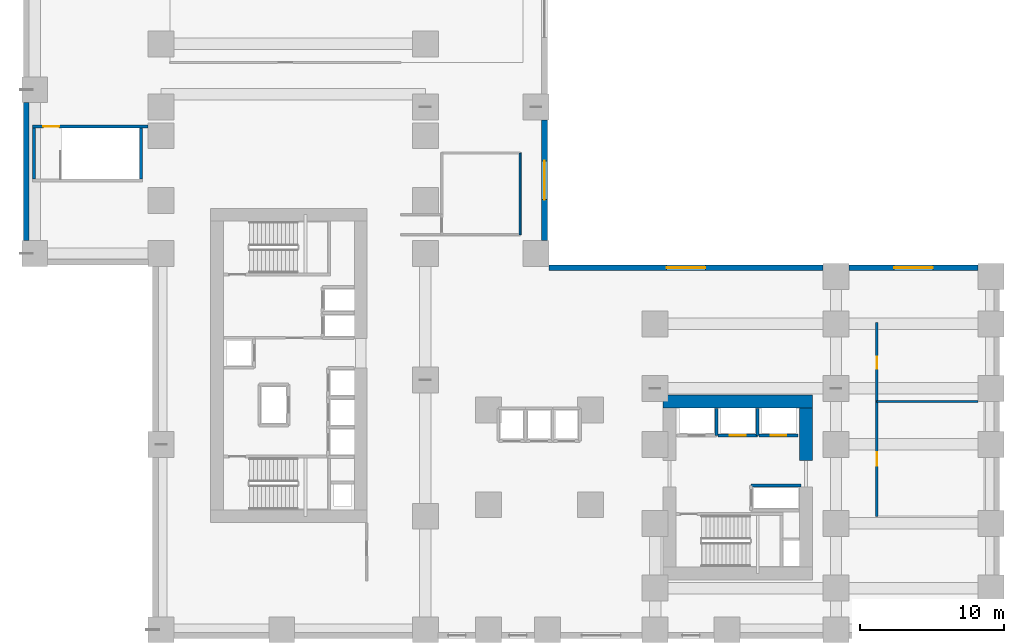
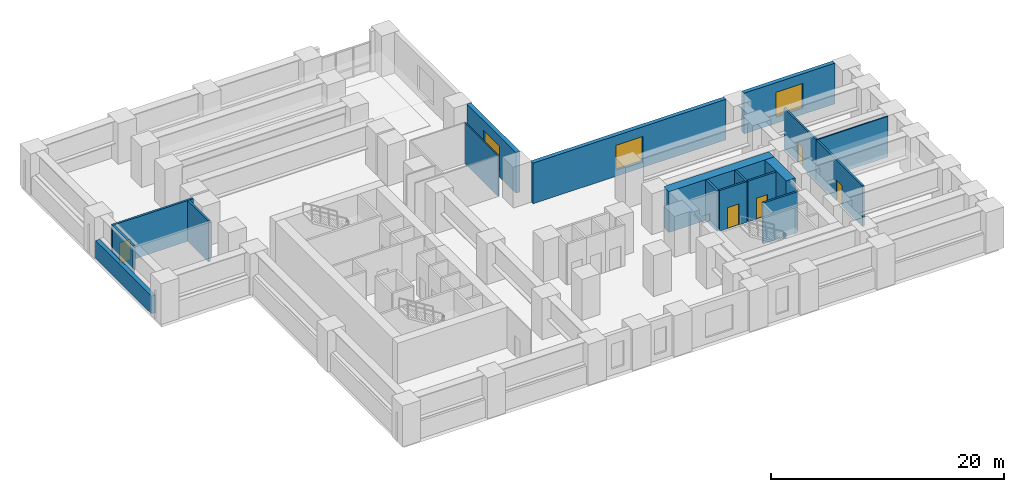
# One storey, part 8 of 12: 18 walls, 5 doors, 3 windows, 8 openings.
"""IFC4 building model written with IfcOpenShell, lengths in metres."""

from ifc_helpers import new_model, si_unit, direction, frame, frame_2d, origin, place, context, subcontext, project, spatial, rectangle, extrude, source, transform, mapped, material, layer, layer_set, type_object, element, fill, save


model = new_model("IFC4")

# Units and contexts
model_context = context("Model", 3, precision=1e-05, world=origin(), true_north=direction((0.0, 1.0)))
body_context = subcontext(model_context, "Body", "Model", "MODEL_VIEW")
ifc_project = project(units=[si_unit("LENGTHUNIT", "METRE"), si_unit("AREAUNIT", "SQUARE_METRE"), si_unit("VOLUMEUNIT", "CUBIC_METRE"), si_unit("PLANEANGLEUNIT", "RADIAN"), si_unit("MASSUNIT", "GRAM", prefix="KILO")], contexts=[model_context])

# Site, building, storey
site_placement = place(None, origin())
site = spatial("IfcSite", under=ifc_project, at=site_placement, CompositionType="ELEMENT")
building_placement = place(site_placement, origin())
building = spatial("IfcBuilding", under=site, at=building_placement, Name="Kharzan Plaza Tower", CompositionType="ELEMENT")
storey_placement = place(building_placement, frame((0.0, 0.0, 18.0)))
storey = spatial("IfcBuildingStorey", under=building, at=storey_placement, Name="L04", CompositionType="ELEMENT", Elevation=18.0)

# Wall, opening, door
ifc_material_1 = material(Name="Concrete C40/50", Category="concrete")
ifc_layer_1 = layer(ifc_material_1, 0.179931640625)
ifc_layer_set_1 = layer_set([ifc_layer_1], Name="Concrete C40/50")
wall_type_1 = type_object("IfcWallType", Name="WL-INT-FIRE-180", PredefinedType="PARTITIONING", material=ifc_layer_set_1)
wall_1_placement = place(storey_placement, frame((50.449951171875, 8.5, 0.0), z_axis=(0.0, 0.0, 1.0), x_axis=(0.0, 1.0, 0.0)))
wall_1 = element("IfcWall", 1, at=wall_1_placement, inside=storey, type_object=wall_type_1, Name="L04 Interior Partition L04-W2A", PredefinedType="PARTITIONING", context=body_context, shape_type="SweptSolid", body=[
    extrude(rectangle(XDim=8.0, YDim=0.179931640625, at=frame_2d((4.0, 0.0))), origin(), (0.0, 0.0, 1.0), 4.264892578125),
])
opening_1_placement = place(wall_1_placement, frame((3.52490234375, 0.0, 0.0)))
opening_1 = element("IfcOpeningElement", 2, at=opening_1_placement, cuts=wall_1, Name="Opening OD1", PredefinedType="OPENING", context=body_context, shape_type="SweptSolid", body=[
    extrude(rectangle(XDim=0.949951171875, YDim=2.14990234375, at=frame_2d((0.47509765625, 1.074951171875))), frame((0.0, 0.099853515625, 0.0), z_axis=(0.0, -1.0, 0.0), x_axis=(1.0, 0.0, 0.0)), (0.0, 0.0, 1.0), 0.199951171875),
])
ifc_material_2 = material(Name="Acoustic Solid-Core Stained Oak", Category="timber")
door_type_1 = type_object("IfcDoorType", Name="DR-OFF-SINGLE", OperationType="NOTDEFINED", PredefinedType="DOOR", material=ifc_material_2)
shared_shape_1 = source(origin(), body_context, "Body", "SweptSolid", [
    extrude(rectangle(XDim=0.949951171875, YDim=2.14990234375, at=frame_2d((0.47509765625, 1.074951171875))), frame((0.0, 0.02490234375, 0.0), z_axis=(0.0, -1.0, 0.0), x_axis=(1.0, 0.0, 0.0)), (0.0, 0.0, 1.0), 0.050048828125),
])
door_1_placement = place(opening_1_placement, origin())
door_1 = element("IfcDoor", 3, at=door_1_placement, inside=storey, type_object=door_type_1, Name="L04 Commercial Kitchen Fire Door", OperationType="SINGLE_SWING_RIGHT", OverallHeight=2.14990234375, OverallWidth=0.949951171875, PredefinedType="DOOR", context=body_context, shape_type="MappedRepresentation", body=[
    mapped(shared_shape_1, transform((0.0, 0.0, 0.0), x_axis=(1.0, 0.0, 0.0), y_axis=(0.0, 1.0, 0.0), z_axis=(0.0, 0.0, 1.0))),
])
fill(opening_1, door_1)

wall_2_placement = place(storey_placement, frame((50.449951171875, 16.5, 0.0), z_axis=(0.0, 0.0, 1.0), x_axis=(0.0, 1.0, 0.0)))
wall_2 = element("IfcWall", 4, at=wall_2_placement, inside=storey, type_object=wall_type_1, Name="L04 Interior Partition L04-W2B", PredefinedType="PARTITIONING", context=body_context, shape_type="SweptSolid", body=[
    extrude(rectangle(XDim=5.5, YDim=0.179931640625, at=frame_2d((2.75, 0.0))), origin(), (0.0, 0.0, 1.0), 4.264892578125),
])
opening_2_placement = place(wall_2_placement, frame((2.27490234375, 0.0, 0.0)))
opening_2 = element("IfcOpeningElement", 5, at=opening_2_placement, cuts=wall_2, Name="Opening RD1", PredefinedType="OPENING", context=body_context, shape_type="SweptSolid", body=[
    extrude(rectangle(XDim=0.85009765625, YDim=2.10009765625, at=frame_2d((0.425048828125, 1.050048828125))), frame((0.0, 0.099853515625, 0.0), z_axis=(0.0, -1.0, 0.0), x_axis=(1.0, 0.0, 0.0)), (0.0, 0.0, 1.0), 0.199951171875),
])
ifc_material_3 = material(Name="Powder-Coated Fire-Rated Steel", Category="steel")
door_type_2 = type_object("IfcDoorType", Name="DR-RISER-900", OperationType="NOTDEFINED", PredefinedType="DOOR", material=ifc_material_3)
shared_shape_2 = source(origin(), body_context, "Body", "SweptSolid", [
    extrude(rectangle(XDim=0.85009765625, YDim=2.10009765625, at=frame_2d((0.425048828125, 1.050048828125))), frame((0.0, 0.02490234375, 0.0), z_axis=(0.0, -1.0, 0.0), x_axis=(1.0, 0.0, 0.0)), (0.0, 0.0, 1.0), 0.050048828125),
])
door_2_placement = place(opening_2_placement, origin())
door_2 = element("IfcDoor", 6, at=door_2_placement, inside=storey, type_object=door_type_2, Name="L04 Catering Store Door", OperationType="SINGLE_SWING_LEFT", OverallHeight=2.10009765625, OverallWidth=0.85009765625, PredefinedType="DOOR", context=body_context, shape_type="MappedRepresentation", body=[
    mapped(shared_shape_2, transform((0.0, 0.0, 0.0), x_axis=(1.0, 0.0, 0.0), y_axis=(0.0, 1.0, 0.0), z_axis=(0.0, 0.0, 1.0))),
])
fill(opening_2, door_2)

ifc_layer_2 = layer(ifc_material_1, 0.199951171875)
ifc_layer_set_2 = layer_set([ifc_layer_2], Name="Concrete C40/50")
wall_type_2 = type_object("IfcWallType", Name="WL-INT-SHAFT-200", PredefinedType="PARTITIONING", material=ifc_layer_set_2)
wall_3_placement = place(storey_placement, frame((39.3798828125, 14.1298828125, 0.0), z_axis=(0.0, 0.0, 1.0), x_axis=(1.0, 0.0, 0.0)))
wall_3 = element("IfcWall", 7, at=wall_3_placement, inside=storey, type_object=wall_type_2, Name="L04 Interior Partition SHF-PL-L2-S", PredefinedType="PARTITIONING", context=body_context, shape_type="SweptSolid", body=[
    extrude(rectangle(XDim=2.740234375, YDim=0.199951171875, at=frame_2d((1.3701171875, 0.0))), origin(), (0.0, 0.0, 1.0), 4.264892578125),
])
opening_3_placement = place(wall_3_placement, frame((0.820068359375, 0.0, 0.0)))
opening_3 = element("IfcOpeningElement", 8, at=opening_3_placement, cuts=wall_3, Name="Opening LD", PredefinedType="OPENING", context=body_context, shape_type="SweptSolid", body=[
    extrude(rectangle(XDim=1.10009765625, YDim=2.199951171875, at=frame_2d((0.550048828125, 1.10009765625))), frame((0.0, 0.10986328125, 0.0), z_axis=(0.0, -1.0, 0.0), x_axis=(1.0, 0.0, 0.0)), (0.0, 0.0, 1.0), 0.219970703125),
])
ifc_material_4 = material(Name="Brushed Stainless Steel", Category="steel")
door_type_3 = type_object("IfcDoorType", Name="DR-LIFT-SLIDE", OperationType="SLIDING_TO_LEFT", PredefinedType="DOOR", material=ifc_material_4)
shared_shape_3 = source(origin(), body_context, "Body", "SweptSolid", [
    extrude(rectangle(XDim=1.10009765625, YDim=2.199951171875, at=frame_2d((0.550048828125, 1.10009765625))), frame((0.0, 0.02490234375, 0.0), z_axis=(0.0, -1.0, 0.0), x_axis=(1.0, 0.0, 0.0)), (0.0, 0.0, 1.0), 0.050048828125),
])
door_3_placement = place(opening_3_placement, origin())
door_3 = element("IfcDoor", 9, at=door_3_placement, inside=storey, type_object=door_type_3, Name="L04 Low-Rise Passenger Lift PL-L2 Sliding Landing Door", OperationType="SLIDING_TO_LEFT", OverallHeight=2.199951171875, OverallWidth=1.10009765625, PredefinedType="DOOR", context=body_context, shape_type="MappedRepresentation", body=[
    mapped(shared_shape_3, transform((0.0, 0.0, 0.0), x_axis=(1.0, 0.0, 0.0), y_axis=(0.0, 1.0, 0.0), z_axis=(0.0, 0.0, 1.0))),
])
fill(opening_3, door_3)

wall_4_placement = place(storey_placement, frame((42.22998046875, 14.1298828125, 0.0), z_axis=(0.0, 0.0, 1.0), x_axis=(1.0, 0.0, 0.0)))
wall_4 = element("IfcWall", 10, at=wall_4_placement, inside=storey, type_object=wall_type_2, Name="L04 Interior Partition SHF-PL-L3-S", PredefinedType="PARTITIONING", context=body_context, shape_type="SweptSolid", body=[
    extrude(rectangle(XDim=2.739990234375, YDim=0.199951171875, at=frame_2d((1.3701171875, 0.0))), origin(), (0.0, 0.0, 1.0), 4.264892578125),
])
opening_4_placement = place(wall_4_placement, frame((0.820068359375, 0.0, 0.0)))
opening_4 = element("IfcOpeningElement", 11, at=opening_4_placement, cuts=wall_4, Name="Opening LD", PredefinedType="OPENING", context=body_context, shape_type="SweptSolid", body=[
    extrude(rectangle(XDim=1.10009765625, YDim=2.199951171875, at=frame_2d((0.550048828125, 1.10009765625))), frame((0.0, 0.10986328125, 0.0), z_axis=(0.0, -1.0, 0.0), x_axis=(1.0, 0.0, 0.0)), (0.0, 0.0, 1.0), 0.219970703125),
])
door_4_placement = place(opening_4_placement, origin())
door_4 = element("IfcDoor", 12, at=door_4_placement, inside=storey, type_object=door_type_3, Name="L04 Low-Rise Passenger Lift PL-L3 Sliding Landing Door", OperationType="SLIDING_TO_LEFT", OverallHeight=2.199951171875, OverallWidth=1.10009765625, PredefinedType="DOOR", context=body_context, shape_type="MappedRepresentation", body=[
    mapped(shared_shape_3, transform((0.0, 0.0, 0.0), x_axis=(1.0, 0.0, 0.0), y_axis=(0.0, 1.0, 0.0), z_axis=(0.0, 0.0, 1.0))),
])
fill(opening_4, door_4)

# Wall, opening, window
ifc_layer_3 = layer(ifc_material_1, 0.39990234375)
ifc_layer_set_3 = layer_set([ifc_layer_3], Name="Concrete C40/50")
wall_type_3 = type_object("IfcWallType", Name="WL-POD-MAS-400", PredefinedType="SOLIDWALL", material=ifc_layer_set_3)
wall_5_placement = place(storey_placement, frame((57.501953125, 25.800048828125, 0.0), z_axis=(0.0, 0.0, 1.0), x_axis=(-1.0, 0.0, 0.0)))
wall_5 = element("IfcWall", 13, at=wall_5_placement, inside=storey, type_object=wall_type_3, Name="L04 Masonry-Frame Exterior Wall 01", PredefinedType="SOLIDWALL", context=body_context, shape_type="SweptSolid", body=[
    extrude(rectangle(XDim=9.00390625, YDim=0.39990234375, at=frame_2d((4.501953125, 0.0))), origin(), (0.0, 0.0, 1.0), 4.264892578125),
])
opening_5_placement = place(wall_5_placement, frame((3.152099609375, 0.0, 0.64990234375)))
opening_5 = element("IfcOpeningElement", 14, at=opening_5_placement, cuts=wall_5, Name="Opening W4", PredefinedType="OPENING", context=body_context, shape_type="SweptSolid", body=[
    extrude(rectangle(XDim=2.699951171875, YDim=2.60009765625, at=frame_2d((1.35009765625, 1.300048828125))), frame((0.0, 0.2099609375, 0.0), z_axis=(0.0, -1.0, 0.0), x_axis=(1.0, 0.0, 0.0)), (0.0, 0.0, 1.0), 0.419921875),
])
ifc_material_5 = material(Name="Low-E Double Glazing", Category="glass")
window_type = type_object("IfcWindowType", Name="WN-POD-2700x2600", PartitioningType="SINGLE_PANEL", PredefinedType="WINDOW", material=ifc_material_5)
shared_shape_4 = source(origin(), body_context, "Body", "SweptSolid", [
    extrude(rectangle(XDim=2.699951171875, YDim=2.60009765625, at=frame_2d((1.35009765625, 1.300048828125))), frame((0.0, 0.030029296875, 0.0), z_axis=(0.0, -1.0, 0.0), x_axis=(1.0, 0.0, 0.0)), (0.0, 0.0, 1.0), 0.06005859375),
])
window_1_placement = place(opening_5_placement, origin())
window_1 = element("IfcWindow", 15, at=window_1_placement, inside=storey, type_object=window_type, Name="L04 Recessed Solar-Control Window 01-1", OverallHeight=2.60009765625, OverallWidth=2.699951171875, PartitioningType="SINGLE_PANEL", PredefinedType="WINDOW", context=body_context, shape_type="MappedRepresentation", body=[
    mapped(shared_shape_4, transform((0.0, 0.0, 0.0), x_axis=(1.0, 0.0, 0.0), y_axis=(0.0, 1.0, 0.0), z_axis=(0.0, 0.0, 1.0))),
])
fill(opening_5, window_1)

wall_6_placement = place(storey_placement, frame((46.701904296875, 25.800048828125, 0.0), z_axis=(0.0, 0.0, 1.0), x_axis=(-1.0, 0.0, 0.0)))
wall_6 = element("IfcWall", 16, at=wall_6_placement, inside=storey, type_object=wall_type_3, Name="L04 Masonry-Frame Exterior Wall 02", PredefinedType="SOLIDWALL", context=body_context, shape_type="SweptSolid", body=[
    extrude(rectangle(XDim=19.10400390625, YDim=0.39990234375, at=frame_2d((9.552001953125, 0.0))), origin(), (0.0, 0.0, 1.0), 4.264892578125),
])
opening_6_placement = place(wall_6_placement, frame((8.201904296875, 0.0, 0.64990234375)))
opening_6 = element("IfcOpeningElement", 17, at=opening_6_placement, cuts=wall_6, Name="Opening W4", PredefinedType="OPENING", context=body_context, shape_type="SweptSolid", body=[
    extrude(rectangle(XDim=2.699951171875, YDim=2.60009765625, at=frame_2d((1.35009765625, 1.300048828125))), frame((0.0, 0.2099609375, 0.0), z_axis=(0.0, -1.0, 0.0), x_axis=(1.0, 0.0, 0.0)), (0.0, 0.0, 1.0), 0.419921875),
])
window_2_placement = place(opening_6_placement, origin())
window_2 = element("IfcWindow", 18, at=window_2_placement, inside=storey, type_object=window_type, Name="L04 Recessed Solar-Control Window 02-1", OverallHeight=2.60009765625, OverallWidth=2.699951171875, PartitioningType="SINGLE_PANEL", PredefinedType="WINDOW", context=body_context, shape_type="MappedRepresentation", body=[
    mapped(shared_shape_4, transform((0.0, 0.0, 0.0), x_axis=(1.0, 0.0, 0.0), y_axis=(0.0, 1.0, 0.0), z_axis=(0.0, 0.0, 1.0))),
])
fill(opening_6, window_2)

wall_7_placement = place(storey_placement, frame((27.300048828125, 27.697998046875, 0.0), z_axis=(0.0, 0.0, 1.0), x_axis=(0.0, 1.0, 0.0)))
wall_7 = element("IfcWall", 19, at=wall_7_placement, inside=storey, type_object=wall_type_3, Name="L04 Masonry-Frame Exterior Wall 03", PredefinedType="SOLIDWALL", context=body_context, shape_type="SweptSolid", body=[
    extrude(rectangle(XDim=8.404052734375, YDim=0.39990234375, at=frame_2d((4.2021484375, 0.0))), origin(), (0.0, 0.0, 1.0), 4.264892578125),
])
opening_7_placement = place(wall_7_placement, frame((2.85205078125, 0.0, 0.64990234375)))
opening_7 = element("IfcOpeningElement", 20, at=opening_7_placement, cuts=wall_7, Name="Opening W4", PredefinedType="OPENING", context=body_context, shape_type="SweptSolid", body=[
    extrude(rectangle(XDim=2.699951171875, YDim=2.60009765625, at=frame_2d((1.35009765625, 1.300048828125))), frame((0.0, 0.2099609375, 0.0), z_axis=(0.0, -1.0, 0.0), x_axis=(1.0, 0.0, 0.0)), (0.0, 0.0, 1.0), 0.419921875),
])
window_3_placement = place(opening_7_placement, origin())
window_3 = element("IfcWindow", 21, at=window_3_placement, inside=storey, type_object=window_type, Name="L04 Recessed Solar-Control Window 03-1", OverallHeight=2.60009765625, OverallWidth=2.699951171875, PartitioningType="SINGLE_PANEL", PredefinedType="WINDOW", context=body_context, shape_type="MappedRepresentation", body=[
    mapped(shared_shape_4, transform((0.0, 0.0, 0.0), x_axis=(1.0, 0.0, 0.0), y_axis=(0.0, 1.0, 0.0), z_axis=(0.0, 0.0, 1.0))),
])
fill(opening_7, window_3)

# Wall, opening, door
ifc_material_6 = material(Name="Concrete C50/60", Category="concrete")
ifc_layer_4 = layer(ifc_material_6, 0.199951171875)
ifc_layer_set_4 = layer_set([ifc_layer_4], Name="Concrete C50/60")
wall_type_4 = type_object("IfcWallType", Name="WL-SHAFT-RC200", PredefinedType="SHEAR", material=ifc_layer_set_4)
wall_8_placement = place(storey_placement, frame((-8.35009765625, 35.655029296875, 0.0), z_axis=(0.0, 0.0, 1.0), x_axis=(1.0, 0.0, 0.0)))
wall_8 = element("IfcWall", 22, at=wall_8_placement, inside=storey, type_object=wall_type_4, Name="L04 Stair ST-4 North RC Shaft Wall", PredefinedType="SHEAR", context=body_context, shape_type="SweptSolid", body=[
    extrude(rectangle(XDim=8.050048828125, YDim=0.199951171875, at=frame_2d((4.02490234375, 0.0))), origin(), (0.0, 0.0, 1.0), 4.280029296875),
])
opening_8_placement = place(wall_8_placement, frame((0.75, 0.0, 0.0)))
opening_8 = element("IfcOpeningElement", 23, at=opening_8_placement, cuts=wall_8, Name="Opening SD1", PredefinedType="OPENING", context=body_context, shape_type="SweptSolid", body=[
    extrude(rectangle(XDim=1.10009765625, YDim=2.14990234375, at=frame_2d((0.550048828125, 1.074951171875))), frame((0.0, 0.10986328125, 0.0), z_axis=(0.0, -1.0, 0.0), x_axis=(1.0, 0.0, 0.0)), (0.0, 0.0, 1.0), 0.219970703125),
])
ifc_material_7 = material(Name="Fire-Rated Hollow Galvanized Steel", Category="steel")
door_type_4 = type_object("IfcDoorType", Name="DR-STAIR-FD120", OperationType="NOTDEFINED", PredefinedType="DOOR", material=ifc_material_7)
shared_shape_5 = source(origin(), body_context, "Body", "SweptSolid", [
    extrude(rectangle(XDim=1.10009765625, YDim=2.14990234375, at=frame_2d((0.550048828125, 1.074951171875))), frame((0.0, 0.02490234375, 0.0), z_axis=(0.0, -1.0, 0.0), x_axis=(1.0, 0.0, 0.0)), (0.0, 0.0, 1.0), 0.050048828125),
])
door_5_placement = place(opening_8_placement, origin())
door_5 = element("IfcDoor", 24, at=door_5_placement, inside=storey, type_object=door_type_4, Name="L04 Podium Stair ST-4 Fire Exit Door", OperationType="SINGLE_SWING_LEFT", OverallHeight=2.14990234375, OverallWidth=1.10009765625, PredefinedType="DOOR", context=body_context, shape_type="MappedRepresentation", body=[
    mapped(shared_shape_5, transform((0.0, 0.0, 0.0), x_axis=(1.0, 0.0, 0.0), y_axis=(0.0, 1.0, 0.0), z_axis=(0.0, 0.0, 1.0))),
])
fill(opening_8, door_5)

# Walls
ifc_material_8 = material(Name="Concrete C60/75", Category="concrete")
ifc_layer_5 = layer(ifc_material_8, 0.89990234375)
ifc_layer_set_5 = layer_set([ifc_layer_5], Name="Concrete C60/75")
wall_type_5 = type_object("IfcWallType", Name="WL-CORE-900", PredefinedType="SHEAR", material=ifc_layer_set_5)
shared_shape_6 = source(origin(), body_context, "Body", "SweptSolid", [
    extrude(rectangle(XDim=3.650146484375, YDim=0.89990234375, at=frame_2d((1.8251953125, 0.0))), origin(), (0.0, 0.0, 1.0), 4.280029296875),
])
wall_9_placement = place(storey_placement, frame((45.5, 12.39990234375, 0.0), z_axis=(0.0, 0.0, 1.0), x_axis=(0.0, 1.0, 0.0)))
element("IfcWall", 25, at=wall_9_placement, inside=storey, type_object=wall_type_5, Name="L04 CORE-B east shear pier 2", PredefinedType="SHEAR", context=body_context, shape_type="MappedRepresentation", body=[
    mapped(shared_shape_6, transform((0.0, 0.0, 0.0), x_axis=(1.0, 0.0, 0.0), y_axis=(0.0, 1.0, 0.0), z_axis=(0.0, 0.0, 1.0))),
])
shared_shape_7 = source(origin(), body_context, "Body", "SweptSolid", [
    extrude(rectangle(XDim=10.39990234375, YDim=0.89990234375, at=frame_2d((5.199951171875, 0.0))), origin(), (0.0, 0.0, 1.0), 4.280029296875),
])
wall_10_placement = place(storey_placement, frame((35.550048828125, 16.5, 0.0), z_axis=(0.0, 0.0, 1.0), x_axis=(1.0, 0.0, 0.0)))
element("IfcWall", 26, at=wall_10_placement, inside=storey, type_object=wall_type_5, Name="L04 CORE-B north RC shear wall", PredefinedType="SHEAR", context=body_context, shape_type="MappedRepresentation", body=[
    mapped(shared_shape_7, transform((0.0, 0.0, 0.0), x_axis=(1.0, 0.0, 0.0), y_axis=(0.0, 1.0, 0.0), z_axis=(0.0, 0.0, 1.0))),
])
shared_shape_8 = source(origin(), body_context, "Body", "SweptSolid", [
    extrude(rectangle(XDim=9.60400390625, YDim=0.39990234375, at=frame_2d((4.802001953125, 0.0))), origin(), (0.0, 0.0, 1.0), 1.864990234375),
])
wall_11_placement = place(storey_placement, frame((-8.800048828125, 37.302001953125, 0.0), z_axis=(0.0, 0.0, 1.0), x_axis=(0.0, -1.0, 0.0)))
element("IfcWall", 27, at=wall_11_placement, inside=storey, type_object=wall_type_3, Name="L04 Masonry-Frame Exterior Wall 11", PredefinedType="SOLIDWALL", context=body_context, shape_type="MappedRepresentation", body=[
    mapped(shared_shape_8, transform((0.0, 0.0, 0.0), x_axis=(1.0, 0.0, 0.0), y_axis=(0.0, 1.0, 0.0), z_axis=(0.0, 0.0, 1.0))),
])
ifc_material_9 = material(Name="Fire-Rated Gypsum Board Partition", Category="gypsum")
ifc_layer_6 = layer(ifc_material_9, 0.125)
ifc_layer_set_6 = layer_set([ifc_layer_6], Name="Fire-Rated Gypsum Board Partition")
wall_type_6 = type_object("IfcWallType", Name="WL-INT-PART-125", PredefinedType="PARTITIONING", material=ifc_layer_set_6)
shared_shape_9 = source(origin(), body_context, "Body", "SweptSolid", [
    extrude(rectangle(XDim=7.030029296875, YDim=0.125, at=frame_2d((3.51513671875, 0.0))), origin(), (0.0, 0.0, 1.0), 4.264892578125),
])
wall_12_placement = place(storey_placement, frame((50.449951171875, 16.5, 0.0), z_axis=(0.0, 0.0, 1.0), x_axis=(1.0, 0.0, 0.0)))
element("IfcWall", 28, at=wall_12_placement, inside=storey, type_object=wall_type_6, Name="L04 Interior Partition L04-W2M", PredefinedType="PARTITIONING", context=body_context, shape_type="MappedRepresentation", body=[
    mapped(shared_shape_9, transform((0.0, 0.0, 0.0), x_axis=(1.0, 0.0, 0.0), y_axis=(0.0, 1.0, 0.0), z_axis=(0.0, 0.0, 1.0))),
])
shared_shape_10 = source(origin(), body_context, "Body", "SweptSolid", [
    extrude(rectangle(XDim=5.699951171875, YDim=0.125, at=frame_2d((2.85009765625, 0.0))), origin(), (0.0, 0.0, 1.0), 4.264892578125),
])
wall_13_placement = place(storey_placement, frame((25.60009765625, 28.10009765625, 0.0), z_axis=(0.0, 0.0, 1.0), x_axis=(0.0, 1.0, 0.0)))
element("IfcWall", 29, at=wall_13_placement, inside=storey, type_object=wall_type_6, Name="L04 Interior Partition L04-WCPE", PredefinedType="PARTITIONING", context=body_context, shape_type="MappedRepresentation", body=[
    mapped(shared_shape_10, transform((0.0, 0.0, 0.0), x_axis=(1.0, 0.0, 0.0), y_axis=(0.0, 1.0, 0.0), z_axis=(0.0, 0.0, 1.0))),
])
shared_shape_11 = source(origin(), body_context, "Body", "SweptSolid", [
    extrude(rectangle(XDim=1.89013671875, YDim=0.199951171875, at=frame_2d((0.945068359375, 0.0))), origin(), (0.0, 0.0, 1.0), 4.264892578125),
])
for number, where, z_axis, x_axis, name in (
    (30, (39.27001953125, 14.1298828125, 0.0), (0.0, 0.0, 1.0), (0.0, 1.0, 0.0), "L04 Interior Partition SHF-PL-L1-E"),
    (31, (42.1201171875, 14.1298828125, 0.0), (0.0, 0.0, 1.0), (0.0, 1.0, 0.0), "L04 Interior Partition SHF-PL-L2-E"),
):
    element("IfcWall", number, at=place(storey_placement, frame(where, z_axis=z_axis, x_axis=x_axis)), inside=storey, type_object=wall_type_2, Name=name, PredefinedType="PARTITIONING", context=body_context, shape_type="MappedRepresentation", body=[
        mapped(shared_shape_11, transform((0.0, 0.0, 0.0), x_axis=(1.0, 0.0, 0.0), y_axis=(0.0, 1.0, 0.0), z_axis=(0.0, 0.0, 1.0))),
    ])
shared_shape_12 = source(origin(), body_context, "Body", "SweptSolid", [
    extrude(rectangle(XDim=3.489990234375, YDim=0.199951171875, at=frame_2d((1.7451171875, 0.0))), origin(), (0.0, 0.0, 1.0), 4.264892578125),
])
wall_14_placement = place(storey_placement, frame((41.679931640625, 10.639892578125, 0.0), z_axis=(0.0, 0.0, 1.0), x_axis=(1.0, 0.0, 0.0)))
element("IfcWall", 32, at=wall_14_placement, inside=storey, type_object=wall_type_2, Name="L04 Interior Partition SHF-SVL-2-N", PredefinedType="PARTITIONING", context=body_context, shape_type="MappedRepresentation", body=[
    mapped(shared_shape_12, transform((0.0, 0.0, 0.0), x_axis=(1.0, 0.0, 0.0), y_axis=(0.0, 1.0, 0.0), z_axis=(0.0, 0.0, 1.0))),
])
shared_shape_13 = source(origin(), body_context, "Body", "SweptSolid", [
    extrude(rectangle(XDim=3.559814453125, YDim=0.199951171875, at=frame_2d((1.77978515625, 0.0))), origin(), (0.0, 0.0, 1.0), 4.280029296875),
])
for number, where, z_axis, x_axis, name in (
    (33, (-0.794921875, 31.9951171875, 0.0), (0.0, 0.0, 1.0), (0.0, 1.0, 0.0), "L04 Stair ST-4 East RC Shaft Wall"),
    (34, (-8.25, 31.9951171875, 0.0), (0.0, 0.0, 1.0), (0.0, 1.0, 0.0), "L04 Stair ST-4 West RC Shaft Wall"),
):
    element("IfcWall", number, at=place(storey_placement, frame(where, z_axis=z_axis, x_axis=x_axis)), inside=storey, type_object=wall_type_4, Name=name, PredefinedType="SHEAR", context=body_context, shape_type="MappedRepresentation", body=[
        mapped(shared_shape_13, transform((0.0, 0.0, 0.0), x_axis=(1.0, 0.0, 0.0), y_axis=(0.0, 1.0, 0.0), z_axis=(0.0, 0.0, 1.0))),
    ])

save(model, "model.ifc")
